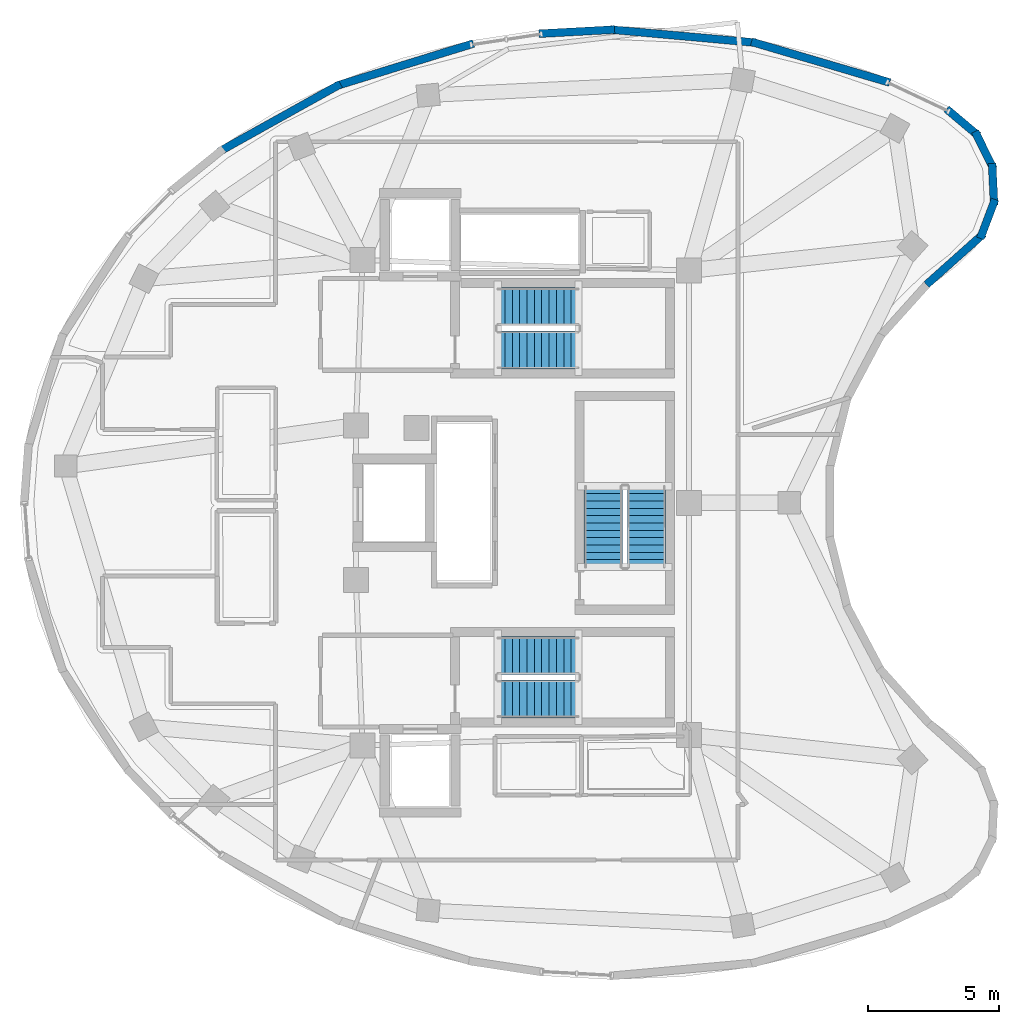
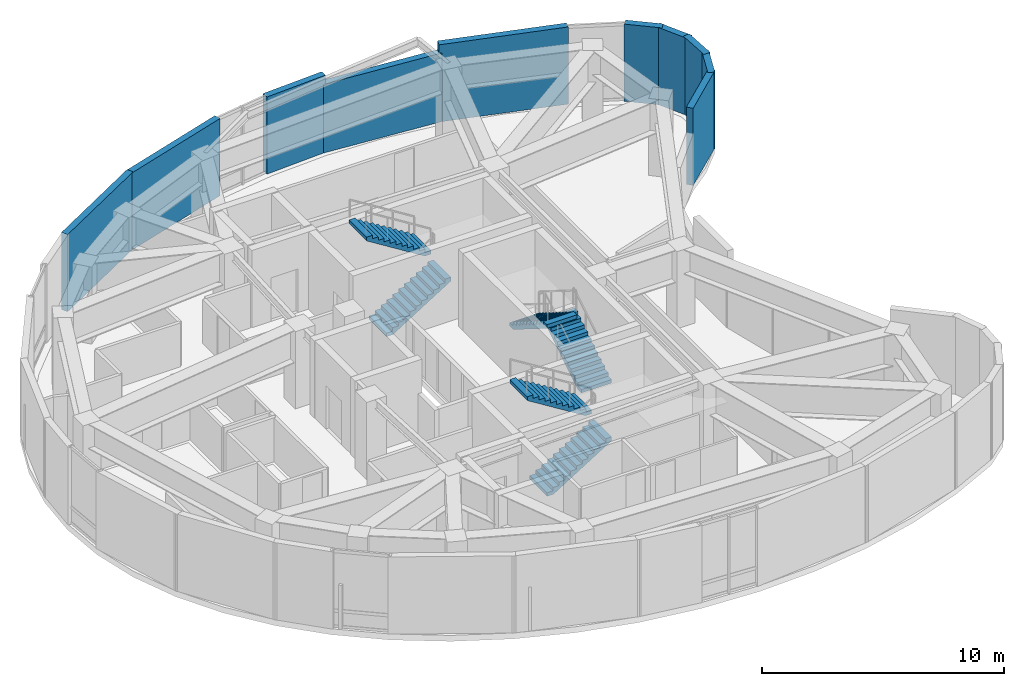
# One storey, part 6 of 8: 10 walls, 6 stair flights, 3 elements without a shape of their own.
"""IFC4 building model written with IfcOpenShell, lengths in metres."""

from ifc_helpers import new_model, si_unit, direction, frame, frame_2d, origin, place, context, subcontext, project, spatial, polyline, rectangle, outline, extrude, material, layer, layer_set, type_object, element, aggregate, save


model = new_model("IFC4")

# Units and contexts
model_context = context("Model", 3, precision=1e-05, world=origin(), true_north=direction((0.0, 1.0)))
body_context = subcontext(model_context, "Body", "Model", "MODEL_VIEW")
ifc_project = project(units=[si_unit("LENGTHUNIT", "METRE"), si_unit("AREAUNIT", "SQUARE_METRE"), si_unit("VOLUMEUNIT", "CUBIC_METRE"), si_unit("PLANEANGLEUNIT", "RADIAN"), si_unit("MASSUNIT", "GRAM", prefix="KILO")], contexts=[model_context])

# Site, building, storey
site_placement = place(None, origin())
site = spatial("IfcSite", under=ifc_project, at=site_placement, CompositionType="ELEMENT")
building_placement = place(site_placement, origin())
building = spatial("IfcBuilding", under=site, at=building_placement, Name="Korentha Bioscience Tower", CompositionType="ELEMENT")
storey_placement = place(building_placement, frame((0.0, 0.0, 301.800048828125)))
storey = spatial("IfcBuildingStorey", under=building, at=storey_placement, Name="L69", CompositionType="ELEMENT", Elevation=301.800048828125)

# Walls
ifc_material_1 = material(Name="Honed Limestone Precast Concrete C40", Category="masonry")
ifc_layer = layer(ifc_material_1, 0.300048828125, Name="Honed Limestone Precast Concrete C40")
ifc_layer_set = layer_set([ifc_layer], Name="Honed Limestone Precast Concrete C40 (EW-ST300)")
wall_type = type_object("IfcWallType", Name="Honed Limestone Cavity Spandrel Wall 300", PredefinedType="STANDARD", material=ifc_layer_set)
wall_1_placement = place(storey_placement, frame((45.19677734375, 43.018310546875, 0.0), z_axis=(0.0, 0.0, 1.0), x_axis=(-0.959276315934, 0.282469378321, 0.0)))
element("IfcWall", 1, at=wall_1_placement, inside=storey, type_object=wall_type, Name="L69 Limestone Perimeter Closure Wall 02", PredefinedType="STANDARD", context=body_context, shape_type="SweptSolid", body=[
    extrude(rectangle(XDim=5.495361328125, YDim=0.300048828125, at=frame_2d((2.74755859375, 0.0))), origin(), (0.0, 0.0, 1.0), 3.89990234375),
])
wall_2_placement = place(storey_placement, frame((40.108642578125, 44.53564453125, 0.0), z_axis=(0.0, 0.0, 1.0), x_axis=(-0.995950163058, 0.089907022552, 0.0)))
element("IfcWall", 2, at=wall_2_placement, inside=storey, type_object=wall_type, Name="L69 Limestone Perimeter Closure Wall 04", PredefinedType="STANDARD", context=body_context, shape_type="SweptSolid", body=[
    extrude(rectangle(XDim=5.60205078125, YDim=0.300048828125, at=frame_2d((2.801025390625, 0.0))), origin(), (0.0, 0.0, 1.0), 3.469970703125),
])
wall_3_placement = place(storey_placement, frame((34.708984375, 45.035888671875, 0.0), z_axis=(0.0, 0.0, 1.0), x_axis=(-0.998532534801, -0.054155119283, 0.0)))
element("IfcWall", 3, at=wall_3_placement, inside=storey, type_object=wall_type, Name="L69 Limestone Perimeter Closure Wall 06", PredefinedType="STANDARD", context=body_context, shape_type="SweptSolid", body=[
    extrude(rectangle(XDim=2.8896484375, YDim=0.300048828125, at=frame_2d((1.44482421875, 0.0))), origin(), (0.0, 0.0, 1.0), 3.89990234375),
])
wall_4_placement = place(storey_placement, frame((29.32958984375, 44.5048828125, 0.0), z_axis=(0.0, 0.0, 1.0), x_axis=(-0.955535200816, -0.29487705913, 0.0)))
element("IfcWall", 4, at=wall_4_placement, inside=storey, type_object=wall_type, Name="L69 Limestone Perimeter Closure Wall 08", PredefinedType="STANDARD", context=body_context, shape_type="SweptSolid", body=[
    extrude(rectangle(XDim=5.485107421875, YDim=0.300048828125, at=frame_2d((2.74267578125, 0.0))), origin(), (0.0, 0.0, 1.0), 3.89990234375),
])
wall_5_placement = place(storey_placement, frame((24.26171875, 42.961669921875, 0.0), z_axis=(0.0, 0.0, 1.0), x_axis=(-0.87350676692, -0.486812004932, 0.0)))
element("IfcWall", 5, at=wall_5_placement, inside=storey, type_object=wall_type, Name="L69 Limestone Perimeter Closure Wall 10", PredefinedType="STANDARD", context=body_context, shape_type="SweptSolid", body=[
    extrude(rectangle(XDim=5.281982421875, YDim=0.300048828125, at=frame_2d((2.64111328125, 0.0))), origin(), (0.0, 0.0, 1.0), 3.89990234375),
])
wall_6_placement = place(storey_placement, frame((46.595703125, 35.314208984375, 0.0), z_axis=(0.0, 0.0, 1.0), x_axis=(0.745805540728, 0.666163715178, 0.0)))
element("IfcWall", 6, at=wall_6_placement, inside=storey, type_object=wall_type, Name="L69 Limestone Perimeter Closure Wall 57", PredefinedType="STANDARD", context=body_context, shape_type="SweptSolid", body=[
    extrude(rectangle(XDim=2.91845703125, YDim=0.300048828125, at=frame_2d((1.459228515625, 0.0))), origin(), (0.0, 0.0, 1.0), 3.89990234375),
])
for number, where, z_axis, x_axis, name in (
    (7, (48.646484375, 37.075439453125, 0.0), (0.0, 0.0, 1.0), (0.353546976078, 0.935416771127, 0.0), "L69 Limestone Perimeter Closure Wall 59"),
    (8, (49.175048828125, 38.3505859375, 0.0), (0.0, 0.0, 1.0), (-0.04947778803, 0.998775224208, 0.0), "L69 Limestone Perimeter Closure Wall 60"),
    (9, (49.150390625, 39.730712890625, 0.0), (0.0, 0.0, 1.0), (-0.444199538262, 0.895927882258, 0.0), "L69 Limestone Perimeter Closure Wall 61"),
    (10, (48.576416015625, 40.986328125, 0.0), (0.0, 0.0, 1.0), (-0.764911198117, 0.644135745783, 0.0), "L69 Limestone Perimeter Closure Wall 62"),
):
    element("IfcWall", number, at=place(storey_placement, frame(where, z_axis=z_axis, x_axis=x_axis)), inside=storey, type_object=wall_type, Name=name, PredefinedType="STANDARD", context=body_context, shape_type="SweptSolid", body=[
        extrude(rectangle(XDim=1.5888671875, YDim=0.300048828125, at=frame_2d((0.79443359375, 0.0))), origin(), (0.0, 0.0, 1.0), 3.89990234375),
    ])

# Stair, stair flights
ifc_material_2 = material(Name="Precast Concrete C50", Category="concrete")
stair_type = type_object("IfcStairType", Name="Core Exit Dog-Leg Stair 1450", PredefinedType="HALF_TURN_STAIR", material=ifc_material_2)
stair_1_placement = place(storey_placement, origin())
stair_1 = element("IfcStair", 11, at=stair_1_placement, inside=storey, type_object=stair_type, Name="L69 Tower North Pressurized Exit Stair ST-1", PredefinedType="HALF_TURN_STAIR")
stair_flight_type = type_object("IfcStairFlightType", Name="Core Exit Dog-Leg Stair 1450 Flight", PredefinedType="STRAIGHT", material=ifc_material_2)
stair_flight_1_placement = place(storey_placement, frame((30.25, 32.824951171875, 0.0), z_axis=(0.0, 0.0, 1.0), x_axis=(1.0, 0.0, 0.0)))
stair_flight_1 = element("IfcStairFlight", 12, at=stair_flight_1_placement, type_object=stair_flight_type, Name="ST-1 flight 1", NumberOfRisers=12, NumberOfTreads=11, PredefinedType="STRAIGHT", RiserHeight=0.175, TreadLength=0.28, context=body_context, shape_type="SweptSolid", body=[
    extrude(outline(polyline([(0.0, 0.0), (0.0, 0.175048828125), (0.280029296875, 0.175048828125), (0.280029296875, 0.35009765625), (0.56005859375, 0.35009765625), (0.56005859375, 0.52490234375), (0.840087890625, 0.52490234375), (0.840087890625, 0.699951171875), (1.1201171875, 0.699951171875), (1.1201171875, 0.875), (1.39990234375, 0.875), (1.39990234375, 1.050048828125), (1.679931640625, 1.050048828125), (1.679931640625, 1.22509765625), (1.9599609375, 1.22509765625), (1.9599609375, 1.39990234375), (2.239990234375, 1.39990234375), (2.239990234375, 1.574951171875), (2.52001953125, 1.574951171875), (2.52001953125, 1.75), (2.800048828125, 1.75), (2.800048828125, 1.925048828125), (3.080078125, 1.925048828125), (3.080078125, 2.10009765625), (3.080078125, 1.736328125), (0.3017578125, 0.0), (0.0, 0.0)])), frame((0.0, 0.72509765625, 0.0), z_axis=(0.0, -1.0, 0.0), x_axis=(1.0, 0.0, 0.0)), (0.0, 0.0, 1.0), 1.449951171875),
])
stair_flight_2_placement = place(storey_placement, frame((33.330078125, 34.47509765625, 2.099853515625), z_axis=(0.0, 0.0, 1.0), x_axis=(-1.0, 0.0, 0.0)))
stair_flight_2 = element("IfcStairFlight", 13, at=stair_flight_2_placement, type_object=stair_flight_type, Name="ST-1 flight 2", NumberOfRisers=12, NumberOfTreads=11, PredefinedType="STRAIGHT", RiserHeight=0.175, TreadLength=0.28, context=body_context, shape_type="SweptSolid", body=[
    extrude(outline(polyline([(0.0, 0.0), (0.0, 0.175048828125), (0.280029296875, 0.175048828125), (0.280029296875, 0.35009765625), (0.56005859375, 0.35009765625), (0.56005859375, 0.52490234375), (0.840087890625, 0.52490234375), (0.840087890625, 0.699951171875), (1.1201171875, 0.699951171875), (1.1201171875, 0.875), (1.39990234375, 0.875), (1.39990234375, 1.050048828125), (1.679931640625, 1.050048828125), (1.679931640625, 1.22509765625), (1.9599609375, 1.22509765625), (1.9599609375, 1.39990234375), (2.239990234375, 1.39990234375), (2.239990234375, 1.574951171875), (2.52001953125, 1.574951171875), (2.52001953125, 1.75), (2.800048828125, 1.75), (2.800048828125, 1.925048828125), (3.080078125, 1.925048828125), (3.080078125, 2.10009765625), (3.080078125, 1.736328125), (0.3017578125, 0.0), (0.0, 0.0)])), frame((0.0, 0.72509765625, 0.0), z_axis=(0.0, -1.0, 0.0), x_axis=(1.0, 0.0, 0.0)), (0.0, 0.0, 1.0), 1.449951171875),
])
aggregate(stair_1, [stair_flight_1, stair_flight_2])

stair_2_placement = place(storey_placement, origin())
stair_2 = element("IfcStair", 14, at=stair_2_placement, inside=storey, type_object=stair_type, Name="L69 Tower South Pressurized Exit Stair ST-2", PredefinedType="HALF_TURN_STAIR")
stair_flight_3_placement = place(storey_placement, frame((30.25, 19.52490234375, 0.0), z_axis=(0.0, 0.0, 1.0), x_axis=(1.0, 0.0, 0.0)))
stair_flight_3 = element("IfcStairFlight", 15, at=stair_flight_3_placement, type_object=stair_flight_type, Name="ST-2 flight 1", NumberOfRisers=12, NumberOfTreads=11, PredefinedType="STRAIGHT", RiserHeight=0.175, TreadLength=0.28, context=body_context, shape_type="SweptSolid", body=[
    extrude(outline(polyline([(0.0, 0.0), (0.0, 0.175048828125), (0.280029296875, 0.175048828125), (0.280029296875, 0.35009765625), (0.56005859375, 0.35009765625), (0.56005859375, 0.52490234375), (0.840087890625, 0.52490234375), (0.840087890625, 0.699951171875), (1.1201171875, 0.699951171875), (1.1201171875, 0.875), (1.39990234375, 0.875), (1.39990234375, 1.050048828125), (1.679931640625, 1.050048828125), (1.679931640625, 1.22509765625), (1.9599609375, 1.22509765625), (1.9599609375, 1.39990234375), (2.239990234375, 1.39990234375), (2.239990234375, 1.574951171875), (2.52001953125, 1.574951171875), (2.52001953125, 1.75), (2.800048828125, 1.75), (2.800048828125, 1.925048828125), (3.080078125, 1.925048828125), (3.080078125, 2.10009765625), (3.080078125, 1.736328125), (0.3017578125, 0.0), (0.0, 0.0)])), frame((0.0, 0.72509765625, 0.0), z_axis=(0.0, -1.0, 0.0), x_axis=(1.0, 0.0, 0.0)), (0.0, 0.0, 1.0), 1.449951171875),
])
stair_flight_4_placement = place(storey_placement, frame((33.330078125, 21.175048828125, 2.099853515625), z_axis=(0.0, 0.0, 1.0), x_axis=(-1.0, 0.0, 0.0)))
stair_flight_4 = element("IfcStairFlight", 16, at=stair_flight_4_placement, type_object=stair_flight_type, Name="ST-2 flight 2", NumberOfRisers=12, NumberOfTreads=11, PredefinedType="STRAIGHT", RiserHeight=0.175, TreadLength=0.28, context=body_context, shape_type="SweptSolid", body=[
    extrude(outline(polyline([(0.0, 0.0), (0.0, 0.175048828125), (0.280029296875, 0.175048828125), (0.280029296875, 0.35009765625), (0.56005859375, 0.35009765625), (0.56005859375, 0.52490234375), (0.840087890625, 0.52490234375), (0.840087890625, 0.699951171875), (1.1201171875, 0.699951171875), (1.1201171875, 0.875), (1.39990234375, 0.875), (1.39990234375, 1.050048828125), (1.679931640625, 1.050048828125), (1.679931640625, 1.22509765625), (1.9599609375, 1.22509765625), (1.9599609375, 1.39990234375), (2.239990234375, 1.39990234375), (2.239990234375, 1.574951171875), (2.52001953125, 1.574951171875), (2.52001953125, 1.75), (2.800048828125, 1.75), (2.800048828125, 1.925048828125), (3.080078125, 1.925048828125), (3.080078125, 2.10009765625), (3.080078125, 1.736328125), (0.3017578125, 0.0), (0.0, 0.0)])), frame((0.0, 0.72509765625, 0.0), z_axis=(0.0, -1.0, 0.0), x_axis=(1.0, 0.0, 0.0)), (0.0, 0.0, 1.0), 1.449951171875),
])
aggregate(stair_2, [stair_flight_3, stair_flight_4])

stair_3_placement = place(storey_placement, origin())
stair_3 = element("IfcStair", 17, at=stair_3_placement, inside=storey, type_object=stair_type, Name="L69 Tower Central Pressurized Exit Stair ST-3", PredefinedType="HALF_TURN_STAIR")
stair_flight_5_placement = place(storey_placement, frame((35.925048828125, 24.550048828125, 0.0), z_axis=(0.0, 0.0, 1.0), x_axis=(0.0, 1.0, 0.0)))
stair_flight_5 = element("IfcStairFlight", 18, at=stair_flight_5_placement, type_object=stair_flight_type, Name="ST-3 flight 1", NumberOfRisers=12, NumberOfTreads=11, PredefinedType="STRAIGHT", RiserHeight=0.175, TreadLength=0.28, context=body_context, shape_type="SweptSolid", body=[
    extrude(outline(polyline([(0.0, 0.0), (0.0, 0.175048828125), (0.280029296875, 0.175048828125), (0.280029296875, 0.35009765625), (0.56005859375, 0.35009765625), (0.56005859375, 0.52490234375), (0.840087890625, 0.52490234375), (0.840087890625, 0.699951171875), (1.1201171875, 0.699951171875), (1.1201171875, 0.875), (1.39990234375, 0.875), (1.39990234375, 1.050048828125), (1.679931640625, 1.050048828125), (1.679931640625, 1.22509765625), (1.9599609375, 1.22509765625), (1.9599609375, 1.39990234375), (2.239990234375, 1.39990234375), (2.239990234375, 1.574951171875), (2.52001953125, 1.574951171875), (2.52001953125, 1.75), (2.800048828125, 1.75), (2.800048828125, 1.925048828125), (3.080078125, 1.925048828125), (3.080078125, 2.10009765625), (3.080078125, 1.736328125), (0.3017578125, 0.0), (0.0, 0.0)])), frame((0.0, 0.72509765625, 0.0), z_axis=(0.0, -1.0, 0.0), x_axis=(1.0, 0.0, 0.0)), (0.0, 0.0, 1.0), 1.449951171875),
])
stair_flight_6_placement = place(storey_placement, frame((34.27490234375, 27.6298828125, 2.099853515625), z_axis=(0.0, 0.0, 1.0), x_axis=(0.0, -1.0, 0.0)))
stair_flight_6 = element("IfcStairFlight", 19, at=stair_flight_6_placement, type_object=stair_flight_type, Name="ST-3 flight 2", NumberOfRisers=12, NumberOfTreads=11, PredefinedType="STRAIGHT", RiserHeight=0.175, TreadLength=0.28, context=body_context, shape_type="SweptSolid", body=[
    extrude(outline(polyline([(0.0, 0.0), (0.0, 0.175048828125), (0.280029296875, 0.175048828125), (0.280029296875, 0.35009765625), (0.56005859375, 0.35009765625), (0.56005859375, 0.52490234375), (0.840087890625, 0.52490234375), (0.840087890625, 0.699951171875), (1.1201171875, 0.699951171875), (1.1201171875, 0.875), (1.39990234375, 0.875), (1.39990234375, 1.050048828125), (1.679931640625, 1.050048828125), (1.679931640625, 1.22509765625), (1.9599609375, 1.22509765625), (1.9599609375, 1.39990234375), (2.239990234375, 1.39990234375), (2.239990234375, 1.574951171875), (2.52001953125, 1.574951171875), (2.52001953125, 1.75), (2.800048828125, 1.75), (2.800048828125, 1.925048828125), (3.080078125, 1.925048828125), (3.080078125, 2.10009765625), (3.080078125, 1.736328125), (0.3017578125, 0.0), (0.0, 0.0)])), frame((0.0, 0.72509765625, 0.0), z_axis=(0.0, -1.0, 0.0), x_axis=(1.0, 0.0, 0.0)), (0.0, 0.0, 1.0), 1.449951171875),
])
aggregate(stair_3, [stair_flight_5, stair_flight_6])

save(model, "model.ifc")
